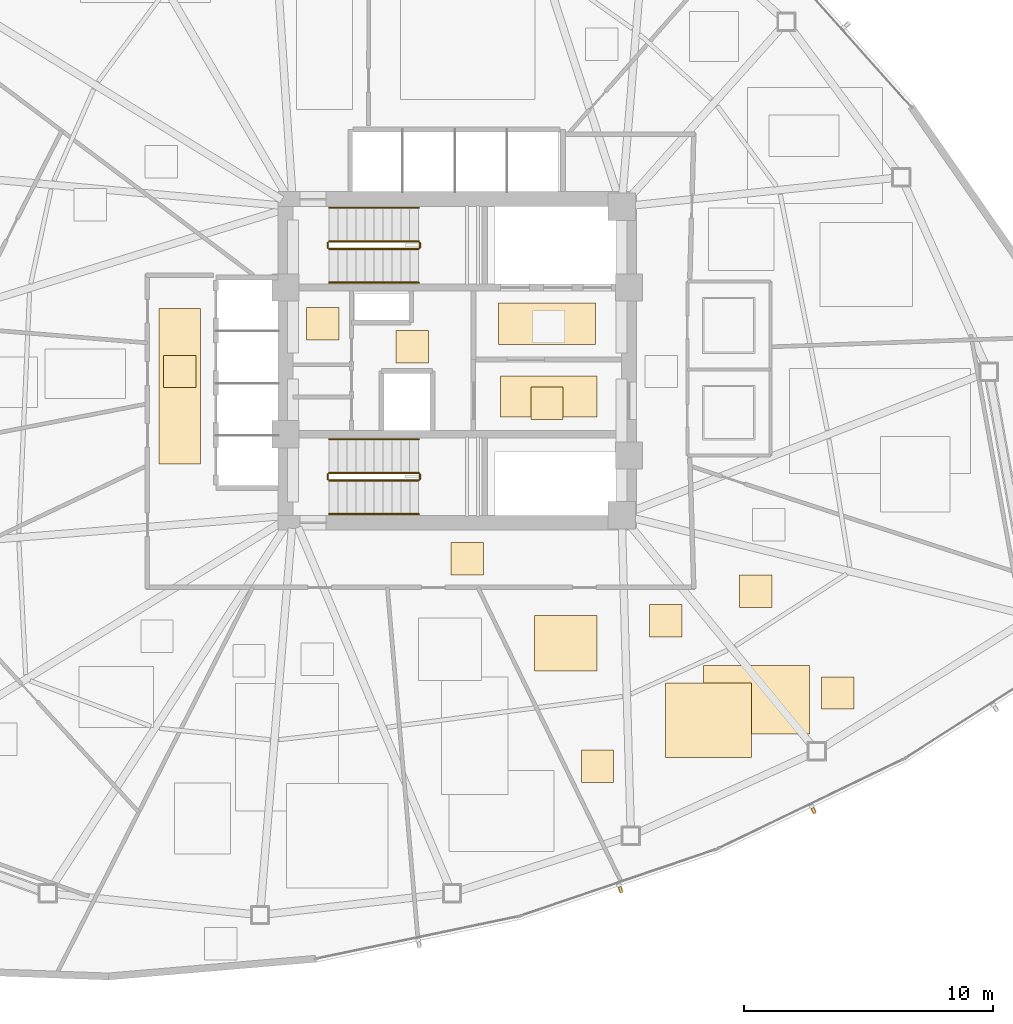
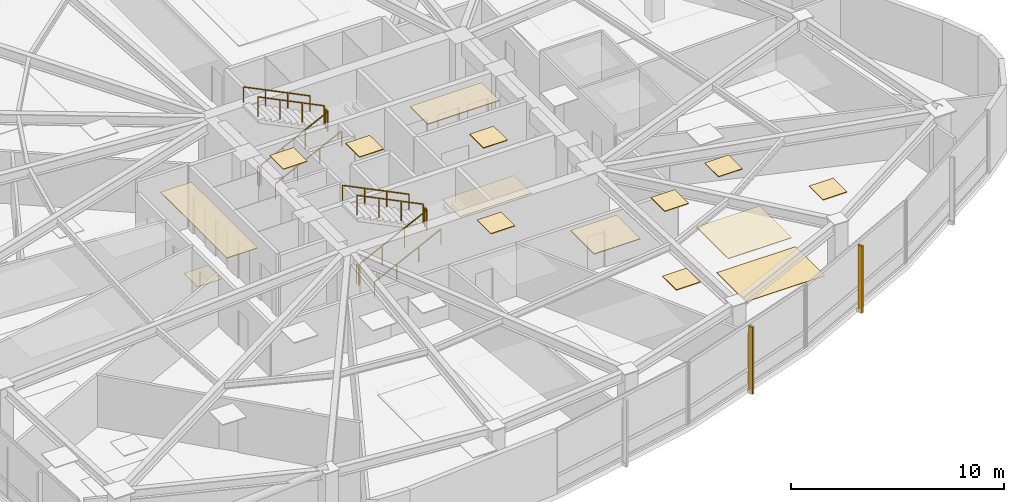
# One storey, part 15 of 17: 15 coverings, 12 railings, 2 shading devices.
"""IFC4 building model written with IfcOpenShell, lengths in metres."""

from ifc_helpers import new_model, si_unit, direction, frame, origin, origin_2d, place, context, subcontext, project, spatial, polyline, rectangle, outline, extrude, source, transform, mapped, material, layer, layer_set, type_object, type_shapes, element, save


model = new_model("IFC4")

# Units and contexts
model_context = context("Model", 3, precision=1e-05, world=origin(), true_north=direction((0.0, 1.0)))
body_context = subcontext(model_context, "Body", "Model", "MODEL_VIEW")
ifc_project = project(units=[si_unit("LENGTHUNIT", "METRE"), si_unit("AREAUNIT", "SQUARE_METRE"), si_unit("VOLUMEUNIT", "CUBIC_METRE"), si_unit("PLANEANGLEUNIT", "RADIAN"), si_unit("MASSUNIT", "GRAM", prefix="KILO")], contexts=[model_context])

# Site, building, storey
site_placement = place(None, origin())
site = spatial("IfcSite", under=ifc_project, at=site_placement, CompositionType="ELEMENT")
building_placement = place(site_placement, origin())
building = spatial("IfcBuilding", under=site, at=building_placement, Name="Tavelor Broadcast Tower", CompositionType="ELEMENT")
storey_placement = place(building_placement, frame((0.0, 0.0, 90.0)))
storey = spatial("IfcBuildingStorey", under=building, at=storey_placement, Name="L21", CompositionType="ELEMENT", Elevation=90.0)

# Coverings
ifc_material_1 = material(Name="Copper-Bronze Anodized Aluminium", Category="aluminium")
ifc_layer_1 = layer(ifc_material_1, 0.044921875)
ifc_layer_set_1 = layer_set([ifc_layer_1], Name="Copper-Bronze Anodized Aluminium")
covering_type_1 = type_object("IfcCoveringType", Name="Anodised Bronze Linear Slatted Concourse Ceiling 45 mm", PredefinedType="CEILING", material=ifc_layer_set_1)
covering_1_placement = place(storey_placement, frame((0.0, 0.0, 3.554931640625)))
element("IfcCovering", 1, at=covering_1_placement, inside=storey, type_object=covering_type_1, Name="L21 Suspended Acoustic Ceiling 0874", PredefinedType="CEILING", context=body_context, shape_type="SweptSolid", body=[
    extrude(outline(polyline([(51.659912109375, 45.654296875), (55.55712890625, 45.654296875), (55.55712890625, 47.331787109375), (51.659912109375, 47.331787109375), (51.659912109375, 45.654296875)])), origin(), (0.0, 0.0, 1.0), 0.045166015625),
])
covering_2_placement = place(storey_placement, frame((0.0, 0.0, 3.554931640625)))
element("IfcCovering", 2, at=covering_2_placement, inside=storey, type_object=covering_type_1, Name="L21 Suspended Acoustic Ceiling 0875", PredefinedType="CEILING", context=body_context, shape_type="SweptSolid", body=[
    extrude(outline(polyline([(52.95361328125, 42.656982421875), (54.25341796875, 42.656982421875), (54.25341796875, 43.95703125), (52.95361328125, 43.95703125), (52.95361328125, 42.656982421875)])), origin(), (0.0, 0.0, 1.0), 0.045166015625),
])

# Railings
ifc_material_2 = material(Name="Steel S355", Category="steel")
railing_type_1 = type_object("IfcRailingType", Name="Continuous Brushed Stainless Handrail 900 mm", PredefinedType="HANDRAIL", material=ifc_material_2)
railing_1_placement = place(storey_placement, frame((44.85009765625, 48.14990234375, 0.17724609375)))
element("IfcRailing", 3, at=railing_1_placement, inside=storey, type_object=railing_type_1, Name="L21 ST1 stair handrail 1", PredefinedType="HANDRAIL", context=body_context, shape_type="SweptSolid", body=[
    extrude(rectangle(XDim=0.048095703125, YDim=0.048095703125, at=origin_2d()), frame((0.0, 0.0, 0.8759765625), z_axis=(0.897124305991, 0.0, 0.441778201817), x_axis=(0.0, 1.0, 0.0)), (0.0, 0.0, 1.0), 4.0126953125),
    extrude(rectangle(XDim=0.0419921875, YDim=0.0419921875, at=origin_2d()), origin(), (0.0, 0.0, 1.0), 0.851806640625),
    extrude(rectangle(XDim=0.0419921875, YDim=0.0419921875, at=origin_2d()), frame((1.199951171875, 0.0, 0.5908203125)), (0.0, 0.0, 1.0), 0.851806640625),
    extrude(rectangle(XDim=0.0419921875, YDim=0.0419921875, at=origin_2d()), frame((2.39990234375, 0.0, 1.181884765625)), (0.0, 0.0, 1.0), 0.851806640625),
    extrude(rectangle(XDim=0.0419921875, YDim=0.0419921875, at=origin_2d()), frame((3.599853515625, 0.0, 1.772705078125)), (0.0, 0.0, 1.0), 0.851806640625),
])
railing_2_placement = place(storey_placement, frame((48.449951171875, 51.14990234375, 2.127197265625)))
element("IfcRailing", 4, at=railing_2_placement, inside=storey, type_object=railing_type_1, Name="L21 ST1 stair handrail 2", PredefinedType="HANDRAIL", context=body_context, shape_type="SweptSolid", body=[
    extrude(rectangle(XDim=0.048095703125, YDim=0.048095703125, at=origin_2d()), frame((0.0, 0.0, 0.8759765625), z_axis=(-0.897124305991, 0.0, 0.441778201817), x_axis=(0.0, -1.0, 0.0)), (0.0, 0.0, 1.0), 4.0126953125),
    extrude(rectangle(XDim=0.0419921875, YDim=0.0419921875, at=origin_2d()), origin(), (0.0, 0.0, 1.0), 0.851806640625),
    extrude(rectangle(XDim=0.0419921875, YDim=0.0419921875, at=origin_2d()), frame((-1.199951171875, 0.0, 0.5908203125)), (0.0, 0.0, 1.0), 0.851806640625),
    extrude(rectangle(XDim=0.0419921875, YDim=0.0419921875, at=origin_2d()), frame((-2.39990234375, 0.0, 1.181884765625)), (0.0, 0.0, 1.0), 0.851806640625),
    extrude(rectangle(XDim=0.0419921875, YDim=0.0419921875, at=origin_2d()), frame((-3.599853515625, 0.0, 1.772705078125)), (0.0, 0.0, 1.0), 0.851806640625),
])
railing_3_placement = place(storey_placement, frame((44.85009765625, 38.85009765625, 0.17724609375)))
element("IfcRailing", 5, at=railing_3_placement, inside=storey, type_object=railing_type_1, Name="L21 ST2 stair handrail 1", PredefinedType="HANDRAIL", context=body_context, shape_type="SweptSolid", body=[
    extrude(rectangle(XDim=0.048095703125, YDim=0.048095703125, at=origin_2d()), frame((0.0, 0.0, 0.8759765625), z_axis=(0.897124305991, 0.0, 0.441778201817), x_axis=(0.0, 1.0, 0.0)), (0.0, 0.0, 1.0), 4.0126953125),
    extrude(rectangle(XDim=0.0419921875, YDim=0.0419921875, at=origin_2d()), origin(), (0.0, 0.0, 1.0), 0.851806640625),
    extrude(rectangle(XDim=0.0419921875, YDim=0.0419921875, at=origin_2d()), frame((1.199951171875, 0.0, 0.5908203125)), (0.0, 0.0, 1.0), 0.851806640625),
    extrude(rectangle(XDim=0.0419921875, YDim=0.0419921875, at=origin_2d()), frame((2.39990234375, 0.0, 1.181884765625)), (0.0, 0.0, 1.0), 0.851806640625),
    extrude(rectangle(XDim=0.0419921875, YDim=0.0419921875, at=origin_2d()), frame((3.599853515625, 0.0, 1.772705078125)), (0.0, 0.0, 1.0), 0.851806640625),
])
railing_4_placement = place(storey_placement, frame((48.449951171875, 41.85009765625, 2.127197265625)))
element("IfcRailing", 6, at=railing_4_placement, inside=storey, type_object=railing_type_1, Name="L21 ST2 stair handrail 2", PredefinedType="HANDRAIL", context=body_context, shape_type="SweptSolid", body=[
    extrude(rectangle(XDim=0.048095703125, YDim=0.048095703125, at=origin_2d()), frame((0.0, 0.0, 0.8759765625), z_axis=(-0.897124305991, 0.0, 0.441778201817), x_axis=(0.0, -1.0, 0.0)), (0.0, 0.0, 1.0), 4.0126953125),
    extrude(rectangle(XDim=0.0419921875, YDim=0.0419921875, at=origin_2d()), origin(), (0.0, 0.0, 1.0), 0.851806640625),
    extrude(rectangle(XDim=0.0419921875, YDim=0.0419921875, at=origin_2d()), frame((-1.199951171875, 0.0, 0.5908203125)), (0.0, 0.0, 1.0), 0.851806640625),
    extrude(rectangle(XDim=0.0419921875, YDim=0.0419921875, at=origin_2d()), frame((-2.39990234375, 0.0, 1.181884765625)), (0.0, 0.0, 1.0), 0.851806640625),
    extrude(rectangle(XDim=0.0419921875, YDim=0.0419921875, at=origin_2d()), frame((-3.599853515625, 0.0, 1.772705078125)), (0.0, 0.0, 1.0), 0.851806640625),
])

# Coverings
ifc_material_3 = material(Name="Architectural Anodized Aluminium", Category="aluminium")
ifc_layer_2 = layer(ifc_material_3, 0.034912109375)
ifc_layer_set_2 = layer_set([ifc_layer_2], Name="Architectural Anodized Aluminium")
covering_type_2 = type_object("IfcCoveringType", Name="Demountable Metal Tile Corridor Ceiling 35 mm", PredefinedType="CEILING", material=ifc_layer_set_2)
covering_3_placement = place(storey_placement, frame((0.0, 0.0, 3.56494140625)))
element("IfcCovering", 7, at=covering_3_placement, inside=storey, type_object=covering_type_2, Name="L21 Suspended Acoustic Ceiling 0879", PredefinedType="CEILING", context=body_context, shape_type="SweptSolid", body=[
    extrude(outline(polyline([(49.75244140625, 36.39990234375), (51.052490234375, 36.39990234375), (51.052490234375, 37.699951171875), (49.75244140625, 37.699951171875), (49.75244140625, 36.39990234375)])), origin(), (0.0, 0.0, 1.0), 0.03515625),
])
covering_4_placement = place(storey_placement, frame((0.0, 0.0, 3.56494140625)))
element("IfcCovering", 8, at=covering_4_placement, inside=storey, type_object=covering_type_2, Name="L21 Suspended Acoustic Ceiling 0880", PredefinedType="CEILING", context=body_context, shape_type="SweptSolid", body=[
    extrude(outline(polyline([(38.01611328125, 40.868896484375), (39.683837890625, 40.868896484375), (39.683837890625, 47.096923828125), (38.01611328125, 47.096923828125), (38.01611328125, 40.868896484375)])), origin(), (0.0, 0.0, 1.0), 0.03515625),
])
ifc_material_4 = material(Name="Acoustic Nylon Carpet Tile")
ifc_layer_3 = layer(ifc_material_4, 0.02001953125)
ifc_layer_set_3 = layer_set([ifc_layer_3], Name="Acoustic Nylon Carpet Tile")
covering_type_3 = type_object("IfcCoveringType", Name="Heavy-Duty Acoustic Broadcast Carpet Tile 20 mm", PredefinedType="FLOORING", material=ifc_layer_set_3)
covering_5_placement = place(storey_placement, origin())
element("IfcCovering", 9, at=covering_5_placement, inside=storey, type_object=covering_type_3, Name="L21 Broadcast Floor Finish 0308", PredefinedType="FLOORING", context=body_context, shape_type="SweptSolid", body=[
    extrude(outline(polyline([(38.199951171875, 43.925048828125), (39.5, 43.925048828125), (39.5, 45.22509765625), (38.199951171875, 45.22509765625), (38.199951171875, 43.925048828125)])), origin(), (0.0, 0.0, 1.0), 0.02001953125),
])
covering_6_placement = place(storey_placement, origin())
element("IfcCovering", 10, at=covering_6_placement, inside=storey, type_object=covering_type_3, Name="L21 Broadcast Floor Finish 0311", PredefinedType="FLOORING", context=body_context, shape_type="SweptSolid", body=[
    extrude(outline(polyline([(59.8837890625, 30.01708984375), (64.155517578125, 30.01708984375), (64.155517578125, 32.76318359375), (59.8837890625, 32.76318359375), (59.8837890625, 30.01708984375)])), origin(), (0.0, 0.0, 1.0), 0.02001953125),
])
ifc_material_5 = material(Name="Honed Natural Limestone Tile", Category="masonry")
ifc_layer_4 = layer(ifc_material_5, 0.030029296875)
ifc_layer_set_4 = layer_set([ifc_layer_4], Name="Honed Natural Limestone Tile")
covering_type_4 = type_object("IfcCoveringType", Name="Honed Jerusalem Limestone Concourse Flooring 30 mm", PredefinedType="FLOORING", material=ifc_layer_set_4)
covering_7_placement = place(storey_placement, origin())
element("IfcCovering", 11, at=covering_7_placement, inside=storey, type_object=covering_type_4, Name="L21 Broadcast Floor Finish 0307", PredefinedType="FLOORING", context=body_context, shape_type="SweptSolid", body=[
    extrude(outline(polyline([(51.728759765625, 42.743408203125), (55.62109375, 42.743408203125), (55.62109375, 44.396484375), (51.728759765625, 44.396484375), (51.728759765625, 42.743408203125)])), origin(), (0.0, 0.0, 1.0), 0.030029296875),
])
ifc_layer_5 = layer(ifc_material_3, 0.030029296875)
ifc_layer_set_5 = layer_set([ifc_layer_5], Name="Architectural Anodized Aluminium")
covering_type_5 = type_object("IfcCoveringType", Name="Moisture-Resistant Washroom Ceiling 30 mm", PredefinedType="CEILING", material=ifc_layer_set_5)
covering_8_placement = place(storey_placement, frame((0.0, 0.0, 3.570068359375)))
element("IfcCovering", 12, at=covering_8_placement, inside=storey, type_object=covering_type_5, Name="L21 Suspended Acoustic Ceiling 0877", PredefinedType="CEILING", context=body_context, shape_type="SweptSolid", body=[
    extrude(outline(polyline([(43.951416015625, 45.843017578125), (45.25146484375, 45.843017578125), (45.25146484375, 47.14306640625), (43.951416015625, 47.14306640625), (43.951416015625, 45.843017578125)])), origin(), (0.0, 0.0, 1.0), 0.030029296875),
])

# Railings
railing_type_2 = type_object("IfcRailingType", Name="Stairwell Steel Safety Guardrail 1150 mm", PredefinedType="GUARDRAIL", material=ifc_material_2)
railing_5_placement = place(storey_placement, frame((44.85009765625, 49.5, 0.17724609375)))
element("IfcRailing", 13, at=railing_5_placement, inside=storey, type_object=railing_type_2, Name="L21 ST1 stair guard 1", PredefinedType="GUARDRAIL", context=body_context, shape_type="SweptSolid", body=[
    extrude(rectangle(XDim=0.048095703125, YDim=0.048095703125, at=origin_2d()), frame((0.0, 0.0, 1.1259765625), z_axis=(0.897124305991, 0.0, 0.441778201817), x_axis=(0.0, 1.0, 0.0)), (0.0, 0.0, 1.0), 4.0126953125),
    extrude(rectangle(XDim=0.0419921875, YDim=0.0419921875, at=origin_2d()), origin(), (0.0, 0.0, 1.0), 1.101806640625),
    extrude(rectangle(XDim=0.0419921875, YDim=0.0419921875, at=origin_2d()), frame((1.199951171875, 0.0, 0.5908203125)), (0.0, 0.0, 1.0), 1.101806640625),
    extrude(rectangle(XDim=0.0419921875, YDim=0.0419921875, at=origin_2d()), frame((2.39990234375, 0.0, 1.181884765625)), (0.0, 0.0, 1.0), 1.101806640625),
    extrude(rectangle(XDim=0.0419921875, YDim=0.0419921875, at=origin_2d()), frame((3.599853515625, 0.0, 1.772705078125)), (0.0, 0.0, 1.0), 1.101806640625),
])
railing_6_placement = place(storey_placement, frame((48.5, 49.550048828125, 1.949951171875)))
element("IfcRailing", 14, at=railing_6_placement, inside=storey, type_object=railing_type_2, Name="L21 ST1 stair guard 2", PredefinedType="GUARDRAIL", context=body_context, shape_type="SweptSolid", body=[
    extrude(rectangle(XDim=0.048095703125, YDim=0.048095703125, at=origin_2d()), frame((0.0, 0.0, 1.1259765625), z_axis=(0.0, 1.0, 0.0), x_axis=(-1.0, 0.0, 0.0)), (0.0, 0.0, 1.0), 0.199951171875),
    extrude(rectangle(XDim=0.0419921875, YDim=0.0419921875, at=origin_2d()), origin(), (0.0, 0.0, 1.0), 1.101806640625),
    extrude(rectangle(XDim=0.0419921875, YDim=0.0419921875, at=origin_2d()), frame((0.0, 0.199951171875, 0.0)), (0.0, 0.0, 1.0), 1.101806640625),
])
railing_7_placement = place(storey_placement, frame((48.449951171875, 49.800048828125, 2.127197265625)))
element("IfcRailing", 15, at=railing_7_placement, inside=storey, type_object=railing_type_2, Name="L21 ST1 stair guard 3", PredefinedType="GUARDRAIL", context=body_context, shape_type="SweptSolid", body=[
    extrude(rectangle(XDim=0.048095703125, YDim=0.048095703125, at=origin_2d()), frame((0.0, 0.0, 1.1259765625), z_axis=(-0.897124305991, 0.0, 0.441778201817), x_axis=(0.0, -1.0, 0.0)), (0.0, 0.0, 1.0), 4.0126953125),
    extrude(rectangle(XDim=0.0419921875, YDim=0.0419921875, at=origin_2d()), origin(), (0.0, 0.0, 1.0), 1.101806640625),
    extrude(rectangle(XDim=0.0419921875, YDim=0.0419921875, at=origin_2d()), frame((-1.199951171875, 0.0, 0.5908203125)), (0.0, 0.0, 1.0), 1.101806640625),
    extrude(rectangle(XDim=0.0419921875, YDim=0.0419921875, at=origin_2d()), frame((-2.39990234375, 0.0, 1.181884765625)), (0.0, 0.0, 1.0), 1.101806640625),
    extrude(rectangle(XDim=0.0419921875, YDim=0.0419921875, at=origin_2d()), frame((-3.599853515625, 0.0, 1.772705078125)), (0.0, 0.0, 1.0), 1.101806640625),
])
railing_8_placement = place(storey_placement, frame((44.800048828125, 49.550048828125, 0.0)))
element("IfcRailing", 16, at=railing_8_placement, inside=storey, type_object=railing_type_2, Name="L21 ST1 stair guard 4", PredefinedType="GUARDRAIL", context=body_context, shape_type="SweptSolid", body=[
    extrude(rectangle(XDim=0.048095703125, YDim=0.048095703125, at=origin_2d()), frame((0.0, 0.0, 1.1259765625), z_axis=(0.0, 1.0, 0.0), x_axis=(-1.0, 0.0, 0.0)), (0.0, 0.0, 1.0), 0.199951171875),
    extrude(rectangle(XDim=0.0419921875, YDim=0.0419921875, at=origin_2d()), origin(), (0.0, 0.0, 1.0), 1.101806640625),
    extrude(rectangle(XDim=0.0419921875, YDim=0.0419921875, at=origin_2d()), frame((0.0, 0.199951171875, 0.0)), (0.0, 0.0, 1.0), 1.101806640625),
])
railing_9_placement = place(storey_placement, frame((44.85009765625, 40.199951171875, 0.17724609375)))
element("IfcRailing", 17, at=railing_9_placement, inside=storey, type_object=railing_type_2, Name="L21 ST2 stair guard 1", PredefinedType="GUARDRAIL", context=body_context, shape_type="SweptSolid", body=[
    extrude(rectangle(XDim=0.048095703125, YDim=0.048095703125, at=origin_2d()), frame((0.0, 0.0, 1.1259765625), z_axis=(0.897124305991, 0.0, 0.441778201817), x_axis=(0.0, 1.0, 0.0)), (0.0, 0.0, 1.0), 4.0126953125),
    extrude(rectangle(XDim=0.0419921875, YDim=0.0419921875, at=origin_2d()), origin(), (0.0, 0.0, 1.0), 1.101806640625),
    extrude(rectangle(XDim=0.0419921875, YDim=0.0419921875, at=origin_2d()), frame((1.199951171875, 0.0, 0.5908203125)), (0.0, 0.0, 1.0), 1.101806640625),
    extrude(rectangle(XDim=0.0419921875, YDim=0.0419921875, at=origin_2d()), frame((2.39990234375, 0.0, 1.181884765625)), (0.0, 0.0, 1.0), 1.101806640625),
    extrude(rectangle(XDim=0.0419921875, YDim=0.0419921875, at=origin_2d()), frame((3.599853515625, 0.0, 1.772705078125)), (0.0, 0.0, 1.0), 1.101806640625),
])
railing_10_placement = place(storey_placement, frame((48.5, 40.25, 1.949951171875)))
element("IfcRailing", 18, at=railing_10_placement, inside=storey, type_object=railing_type_2, Name="L21 ST2 stair guard 2", PredefinedType="GUARDRAIL", context=body_context, shape_type="SweptSolid", body=[
    extrude(rectangle(XDim=0.048095703125, YDim=0.048095703125, at=origin_2d()), frame((0.0, 0.0, 1.1259765625), z_axis=(0.0, 1.0, 0.0), x_axis=(-1.0, 0.0, 0.0)), (0.0, 0.0, 1.0), 0.199951171875),
    extrude(rectangle(XDim=0.0419921875, YDim=0.0419921875, at=origin_2d()), origin(), (0.0, 0.0, 1.0), 1.101806640625),
    extrude(rectangle(XDim=0.0419921875, YDim=0.0419921875, at=origin_2d()), frame((0.0, 0.199951171875, 0.0)), (0.0, 0.0, 1.0), 1.101806640625),
])
railing_11_placement = place(storey_placement, frame((48.449951171875, 40.5, 2.127197265625)))
element("IfcRailing", 19, at=railing_11_placement, inside=storey, type_object=railing_type_2, Name="L21 ST2 stair guard 3", PredefinedType="GUARDRAIL", context=body_context, shape_type="SweptSolid", body=[
    extrude(rectangle(XDim=0.048095703125, YDim=0.048095703125, at=origin_2d()), frame((0.0, 0.0, 1.1259765625), z_axis=(-0.897124305991, 0.0, 0.441778201817), x_axis=(0.0, -1.0, 0.0)), (0.0, 0.0, 1.0), 4.0126953125),
    extrude(rectangle(XDim=0.0419921875, YDim=0.0419921875, at=origin_2d()), origin(), (0.0, 0.0, 1.0), 1.101806640625),
    extrude(rectangle(XDim=0.0419921875, YDim=0.0419921875, at=origin_2d()), frame((-1.199951171875, 0.0, 0.5908203125)), (0.0, 0.0, 1.0), 1.101806640625),
    extrude(rectangle(XDim=0.0419921875, YDim=0.0419921875, at=origin_2d()), frame((-2.39990234375, 0.0, 1.181884765625)), (0.0, 0.0, 1.0), 1.101806640625),
    extrude(rectangle(XDim=0.0419921875, YDim=0.0419921875, at=origin_2d()), frame((-3.599853515625, 0.0, 1.772705078125)), (0.0, 0.0, 1.0), 1.101806640625),
])
railing_12_placement = place(storey_placement, frame((44.800048828125, 40.25, 0.0)))
element("IfcRailing", 20, at=railing_12_placement, inside=storey, type_object=railing_type_2, Name="L21 ST2 stair guard 4", PredefinedType="GUARDRAIL", context=body_context, shape_type="SweptSolid", body=[
    extrude(rectangle(XDim=0.048095703125, YDim=0.048095703125, at=origin_2d()), frame((0.0, 0.0, 1.1259765625), z_axis=(0.0, 1.0, 0.0), x_axis=(-1.0, 0.0, 0.0)), (0.0, 0.0, 1.0), 0.199951171875),
    extrude(rectangle(XDim=0.0419921875, YDim=0.0419921875, at=origin_2d()), origin(), (0.0, 0.0, 1.0), 1.101806640625),
    extrude(rectangle(XDim=0.0419921875, YDim=0.0419921875, at=origin_2d()), frame((0.0, 0.199951171875, 0.0)), (0.0, 0.0, 1.0), 1.101806640625),
])

# Coverings
ifc_material_6 = material(Name="Acoustic Mineral Fibre Tile")
ifc_layer_6 = layer(ifc_material_6, 0.0400390625)
ifc_layer_set_6 = layer_set([ifc_layer_6], Name="Acoustic Mineral Fibre Tile")
covering_type_6 = type_object("IfcCoveringType", Name="Suspended Acoustic Mineral-Fibre Office Ceiling 40 mm", PredefinedType="CEILING", material=ifc_layer_set_6)
covering_9_placement = place(storey_placement, frame((0.0, 0.0, 3.56005859375)))
element("IfcCovering", 21, at=covering_9_placement, inside=storey, type_object=covering_type_6, Name="L21 Suspended Acoustic Ceiling 0876", PredefinedType="CEILING", context=body_context, shape_type="SweptSolid", body=[
    extrude(outline(polyline([(47.544921875, 44.919921875), (48.844970703125, 44.919921875), (48.844970703125, 46.219970703125), (47.544921875, 46.219970703125), (47.544921875, 44.919921875)])), origin(), (0.0, 0.0, 1.0), 0.0400390625),
])
covering_10_placement = place(storey_placement, frame((0.0, 0.0, 3.56005859375)))
element("IfcCovering", 22, at=covering_10_placement, inside=storey, type_object=covering_type_6, Name="L21 Suspended Acoustic Ceiling 0883", PredefinedType="CEILING", context=body_context, shape_type="SweptSolid", body=[
    extrude(outline(polyline([(61.335693359375, 35.1015625), (62.6357421875, 35.1015625), (62.6357421875, 36.401611328125), (61.335693359375, 36.401611328125), (61.335693359375, 35.1015625)])), origin(), (0.0, 0.0, 1.0), 0.0400390625),
])
covering_11_placement = place(storey_placement, frame((0.0, 0.0, 3.56005859375)))
element("IfcCovering", 23, at=covering_11_placement, inside=storey, type_object=covering_type_6, Name="L21 Suspended Acoustic Ceiling 0885", PredefinedType="CEILING", context=body_context, shape_type="SweptSolid", body=[
    extrude(outline(polyline([(64.63623046875, 31.01171875), (65.936279296875, 31.01171875), (65.936279296875, 32.311767578125), (64.63623046875, 32.311767578125), (64.63623046875, 31.01171875)])), origin(), (0.0, 0.0, 1.0), 0.0400390625),
])
covering_12_placement = place(storey_placement, frame((0.0, 0.0, 3.56005859375)))
element("IfcCovering", 24, at=covering_12_placement, inside=storey, type_object=covering_type_6, Name="L21 Suspended Acoustic Ceiling 0886", PredefinedType="CEILING", context=body_context, shape_type="SweptSolid", body=[
    extrude(outline(polyline([(54.985595703125, 28.068359375), (56.28564453125, 28.068359375), (56.28564453125, 29.368408203125), (54.985595703125, 29.368408203125), (54.985595703125, 28.068359375)])), origin(), (0.0, 0.0, 1.0), 0.0400390625),
])
covering_13_placement = place(storey_placement, frame((0.0, 0.0, 3.56005859375)))
element("IfcCovering", 25, at=covering_13_placement, inside=storey, type_object=covering_type_6, Name="L21 Suspended Acoustic Ceiling 0887", PredefinedType="CEILING", context=body_context, shape_type="SweptSolid", body=[
    extrude(outline(polyline([(53.109619140625, 32.5400390625), (55.614013671875, 32.5400390625), (55.614013671875, 34.77490234375), (53.109619140625, 34.77490234375), (53.109619140625, 32.5400390625)])), origin(), (0.0, 0.0, 1.0), 0.0400390625),
])
covering_14_placement = place(storey_placement, frame((0.0, 0.0, 3.56005859375)))
element("IfcCovering", 26, at=covering_14_placement, inside=storey, type_object=covering_type_6, Name="L21 Suspended Acoustic Ceiling 0888", PredefinedType="CEILING", context=body_context, shape_type="SweptSolid", body=[
    extrude(outline(polyline([(57.73095703125, 33.91650390625), (59.031005859375, 33.91650390625), (59.031005859375, 35.216552734375), (57.73095703125, 35.216552734375), (57.73095703125, 33.91650390625)])), origin(), (0.0, 0.0, 1.0), 0.0400390625),
])
covering_15_placement = place(storey_placement, frame((0.0, 0.0, 3.56005859375)))
element("IfcCovering", 27, at=covering_15_placement, inside=storey, type_object=covering_type_6, Name="L21 Suspended Acoustic Ceiling 0889", PredefinedType="CEILING", context=body_context, shape_type="SweptSolid", body=[
    extrude(outline(polyline([(58.373779296875, 29.06640625), (61.811279296875, 29.06640625), (61.811279296875, 32.069091796875), (58.373779296875, 32.069091796875), (58.373779296875, 29.06640625)])), origin(), (0.0, 0.0, 1.0), 0.0400390625),
])

# Shading devices
ifc_material_7 = material(Name="Kiln-Fired Glazed Terracotta", Category="masonry")
shading_device_type = type_object("IfcShadingDeviceType", Name="Extruded Terracotta Baguette Sun-Screen 110x240", PredefinedType="JALOUSIE", material=ifc_material_7)
shared_shape = source(origin(), body_context, "Body", "SweptSolid", [
    extrude(rectangle(XDim=0.110107421875, YDim=0.239990234375, at=origin_2d()), origin(), (0.0, 0.0, 1.0), 3.840087890625),
])
type_shapes(shading_device_type, [shared_shape])
for number, where, z_axis, x_axis, name in (
    (28, (56.557861328125, 23.757080078125, -0.26025390625), (0.0, 0.0, 1.0), (0.946817868267, 0.321769986684, 0.0), "L21 Terracotta Baguette Fin 210"),
    (29, (64.318603515625, 26.931884765625, -0.26025390625), (0.0, 0.0, 1.0), (0.900849834449, 0.434130827946, 0.0), "L21 Terracotta Baguette Fin 211"),
):
    element("IfcShadingDevice", number, at=place(storey_placement, frame(where, z_axis=z_axis, x_axis=x_axis)), inside=storey, type_object=shading_device_type, Name=name, PredefinedType="JALOUSIE", context=body_context, shape_type="MappedRepresentation", body=[
        mapped(shared_shape, transform((0.0, 0.0, 0.0), scale=1.0)),
    ])

save(model, "model.ifc")
